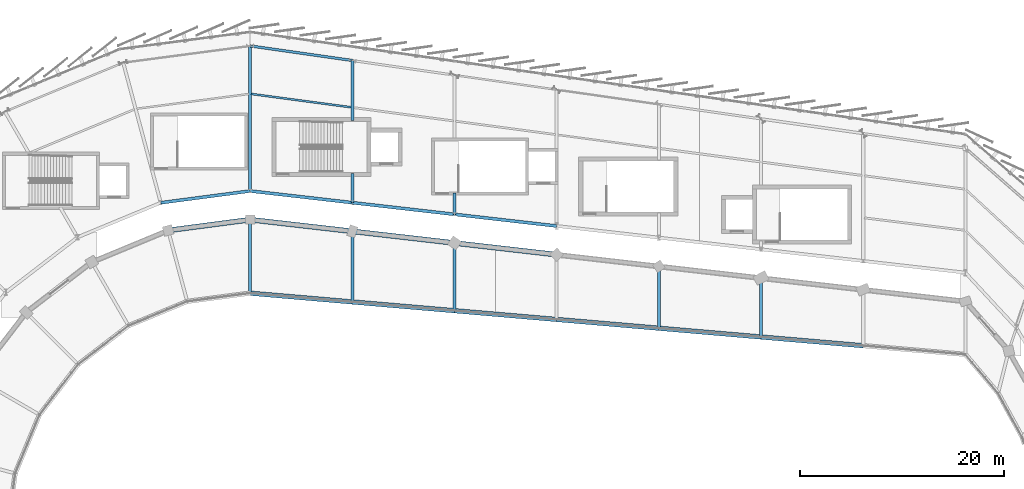
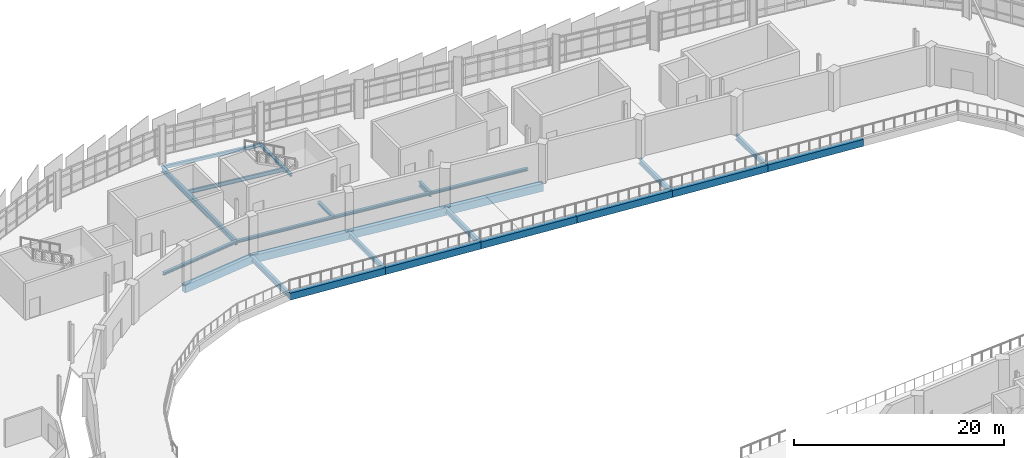
# One storey, part 33 of 87: 25 beams.
"""IFC4 building model written with IfcOpenShell, lengths in metres."""

from ifc_helpers import new_model, si_unit, direction, frame, origin, origin_2d, place, context, subcontext, project, spatial, rectangle, hollow_rectangle, i_section, extrude, material, material_profile, profile_set, type_object, element, save


model = new_model("IFC4")

# Units and contexts
model_context = context("Model", 3, precision=1e-05, world=origin(), true_north=direction((0.0, 1.0)))
body_context = subcontext(model_context, "Body", "Model", "MODEL_VIEW")
ifc_project = project(units=[si_unit("LENGTHUNIT", "METRE"), si_unit("AREAUNIT", "SQUARE_METRE"), si_unit("VOLUMEUNIT", "CUBIC_METRE"), si_unit("PLANEANGLEUNIT", "RADIAN"), si_unit("MASSUNIT", "GRAM", prefix="KILO")], contexts=[model_context])

# Site, building, storey
site_placement = place(None, origin())
site = spatial("IfcSite", under=ifc_project, at=site_placement, CompositionType="ELEMENT")
building_placement = place(site_placement, origin())
building = spatial("IfcBuilding", under=site, at=building_placement, Name="Sohan Crest Arena", CompositionType="ELEMENT")
storey_placement = place(building_placement, frame((0.0, 0.0, 18.0)))
storey = spatial("IfcBuildingStorey", under=building, at=storey_placement, Name="L04", CompositionType="ELEMENT", Elevation=18.0)

# Beams
ifc_material_1 = material(Name="Steel S355", Category="steel")
ifc_material_profile_1 = material_profile(ifc_material_1, i_section(OverallWidth=0.18994140625, OverallDepth=0.449951171875, WebThickness=0.009521484375, FlangeThickness=0.0146484375, at=origin_2d()), Name="IPE 450")
ifc_profile_set_1 = profile_set([ifc_material_profile_1], Name="Steel S355")
beam_type_1 = type_object("IfcBeamType", Name="STR-BM-B04", PredefinedType="JOIST", material=ifc_profile_set_1)
beam_1_placement = place(storey_placement, frame((107.89111328125, 119.993896484375, -0.47509765625), z_axis=(-0.991216229825, 0.132251222039, 0.0), x_axis=(-0.132251222039, -0.991216229825, 0.0)))
element("IfcBeam", 1, at=beam_1_placement, inside=storey, type_object=beam_type_1, Name="Structural beam J-L04-1706", PredefinedType="JOIST", context=body_context, shape_type="SweptSolid", body=[
    extrude(i_section(OverallWidth=0.18994140625, OverallDepth=0.449951171875, WebThickness=0.009521484375, FlangeThickness=0.0146484375, at=origin_2d()), origin(), (0.0, 0.0, 1.0), 9.868896484375),
])
ifc_material_profile_2 = material_profile(ifc_material_1, i_section(OverallWidth=0.300048828125, OverallDepth=0.590087890625, WebThickness=0.012939453125, FlangeThickness=0.02490234375, at=origin_2d()), Name="HEA 600")
ifc_profile_set_2 = profile_set([ifc_material_profile_2], Name="Steel S355")
beam_type_2 = type_object("IfcBeamType", Name="STR-BM-B11", PredefinedType="BEAM", material=ifc_profile_set_2)
beam_2_placement = place(storey_placement, frame((98.0, 101.800048828125, -0.544921875), z_axis=(0.0, 1.0, 0.0), x_axis=(-1.0, 0.0, 0.0)))
element("IfcBeam", 2, at=beam_2_placement, inside=storey, type_object=beam_type_2, Name="Structural beam G-L04-0078", PredefinedType="BEAM", context=body_context, shape_type="SweptSolid", body=[
    extrude(i_section(OverallWidth=0.300048828125, OverallDepth=0.590087890625, WebThickness=0.012939453125, FlangeThickness=0.02490234375, at=origin_2d()), origin(), (0.0, 0.0, 1.0), 7.199951171875),
])
beam_3_placement = place(storey_placement, frame((148.0, 97.513916015625, -0.544921875), z_axis=(0.0, 1.0, 0.0), x_axis=(-1.0, 0.0, 0.0)))
element("IfcBeam", 3, at=beam_3_placement, inside=storey, type_object=beam_type_2, Name="Structural beam G-L04-0722", PredefinedType="BEAM", context=body_context, shape_type="SweptSolid", body=[
    extrude(i_section(OverallWidth=0.300048828125, OverallDepth=0.590087890625, WebThickness=0.012939453125, FlangeThickness=0.02490234375, at=origin_2d()), origin(), (0.0, 0.0, 1.0), 5.77197265625),
])
beam_4_placement = place(storey_placement, frame((138.0, 98.37109375, -0.544921875), z_axis=(0.0, 1.0, 0.0), x_axis=(-1.0, 0.0, 0.0)))
element("IfcBeam", 4, at=beam_4_placement, inside=storey, type_object=beam_type_2, Name="Structural beam G-L04-0744", PredefinedType="BEAM", context=body_context, shape_type="SweptSolid", body=[
    extrude(i_section(OverallWidth=0.300048828125, OverallDepth=0.590087890625, WebThickness=0.012939453125, FlangeThickness=0.02490234375, at=origin_2d()), origin(), (0.0, 0.0, 1.0), 6.057861328125),
])
beam_5_placement = place(storey_placement, frame((118.0, 100.0859375, -0.544921875), z_axis=(0.0, 1.0, 0.0), x_axis=(-1.0, 0.0, 0.0)))
element("IfcBeam", 5, at=beam_5_placement, inside=storey, type_object=beam_type_2, Name="Structural beam G-L04-0788", PredefinedType="BEAM", context=body_context, shape_type="SweptSolid", body=[
    extrude(i_section(OverallWidth=0.300048828125, OverallDepth=0.590087890625, WebThickness=0.012939453125, FlangeThickness=0.02490234375, at=origin_2d()), origin(), (0.0, 0.0, 1.0), 6.628173828125),
])
beam_6_placement = place(storey_placement, frame((108.0, 100.943115234375, -0.544921875), z_axis=(0.0, 1.0, 0.0), x_axis=(-1.0, 0.0, 0.0)))
element("IfcBeam", 6, at=beam_6_placement, inside=storey, type_object=beam_type_2, Name="Structural beam G-L04-0810", PredefinedType="BEAM", context=body_context, shape_type="SweptSolid", body=[
    extrude(i_section(OverallWidth=0.300048828125, OverallDepth=0.590087890625, WebThickness=0.012939453125, FlangeThickness=0.02490234375, at=origin_2d()), origin(), (0.0, 0.0, 1.0), 6.913818359375),
])
beam_7_placement = place(storey_placement, frame((98.0, 111.800048828125, -0.544921875), z_axis=(0.0, 1.0, 0.0), x_axis=(-1.0, 0.0, 0.0)))
element("IfcBeam", 7, at=beam_7_placement, inside=storey, type_object=beam_type_2, Name="Structural beam G-L04-1553", PredefinedType="BEAM", context=body_context, shape_type="SweptSolid", body=[
    extrude(i_section(OverallWidth=0.300048828125, OverallDepth=0.590087890625, WebThickness=0.012939453125, FlangeThickness=0.02490234375, at=origin_2d()), origin(), (0.0, 0.0, 1.0), 14.199951171875),
])
beam_8_placement = place(storey_placement, frame((118.0, 109.513916015625, -0.544921875), z_axis=(0.0, 1.0, 0.0), x_axis=(-1.0, 0.0, 0.0)))
element("IfcBeam", 8, at=beam_8_placement, inside=storey, type_object=beam_type_2, Name="Structural beam G-L04-1697", PredefinedType="BEAM", context=body_context, shape_type="SweptSolid", body=[
    extrude(i_section(OverallWidth=0.300048828125, OverallDepth=0.590087890625, WebThickness=0.012939453125, FlangeThickness=0.02490234375, at=origin_2d()), origin(), (0.0, 0.0, 1.0), 2.106201171875),
])
ifc_material_profile_3 = material_profile(ifc_material_1, i_section(OverallWidth=0.300048828125, OverallDepth=0.300048828125, WebThickness=0.010986328125, FlangeThickness=0.01904296875, at=origin_2d()), Name="HEB 300")
ifc_profile_set_3 = profile_set([ifc_material_profile_3], Name="Steel S355")
beam_type_3 = type_object("IfcBeamType", Name="STR-BM-B12", PredefinedType="BEAM", material=ifc_profile_set_3)
beam_9_placement = place(storey_placement, frame((98.0, 111.800048828125, -0.39990234375), z_axis=(-0.991439032147, -0.130570461953, 0.0), x_axis=(0.130570461953, -0.991439032147, 0.0)))
element("IfcBeam", 9, at=beam_9_placement, inside=storey, type_object=beam_type_3, Name="Structural beam G-L04-1554", PredefinedType="BEAM", context=body_context, shape_type="SweptSolid", body=[
    extrude(i_section(OverallWidth=0.300048828125, OverallDepth=0.300048828125, WebThickness=0.010986328125, FlangeThickness=0.01904296875, at=origin_2d()), origin(), (0.0, 0.0, 1.0), 8.823486328125),
])
for number, where, z_axis, x_axis, name in (
    (10, (128.0, 108.37109375, -0.39990234375), (-0.993533063564, 0.113543170668, 0.0), (-0.113543170668, -0.993533063564, 0.0), "Structural beam G-L04-1694"),
    (11, (118.0, 109.513916015625, -0.39990234375), (-0.99353032697, 0.113567114035, 0.0), (-0.113567114035, -0.99353032697, 0.0), "Structural beam G-L04-1699"),
):
    element("IfcBeam", number, at=place(storey_placement, frame(where, z_axis=z_axis, x_axis=x_axis)), inside=storey, type_object=beam_type_3, Name=name, PredefinedType="BEAM", context=body_context, shape_type="SweptSolid", body=[
        extrude(i_section(OverallWidth=0.300048828125, OverallDepth=0.300048828125, WebThickness=0.010986328125, FlangeThickness=0.01904296875, at=origin_2d()), origin(), (0.0, 0.0, 1.0), 10.065185546875),
    ])
beam_10_placement = place(storey_placement, frame((108.0, 110.656982421875, -0.39990234375), z_axis=(0.0, 1.0, 0.0), x_axis=(-1.0, 0.0, 0.0)))
element("IfcBeam", 12, at=beam_10_placement, inside=storey, type_object=beam_type_3, Name="Structural beam G-L04-1702", PredefinedType="BEAM", context=body_context, shape_type="SweptSolid", body=[
    extrude(i_section(OverallWidth=0.300048828125, OverallDepth=0.300048828125, WebThickness=0.010986328125, FlangeThickness=0.01904296875, at=origin_2d()), origin(), (0.0, 0.0, 1.0), 2.863037109375),
])
beam_11_placement = place(storey_placement, frame((108.0, 118.679931640625, -0.39990234375), z_axis=(0.0, 1.0, 0.0), x_axis=(-1.0, 0.0, 0.0)))
element("IfcBeam", 13, at=beam_11_placement, inside=storey, type_object=beam_type_3, Name="Structural beam G-L04-1703", PredefinedType="BEAM", context=body_context, shape_type="SweptSolid", body=[
    extrude(i_section(OverallWidth=0.300048828125, OverallDepth=0.300048828125, WebThickness=0.010986328125, FlangeThickness=0.01904296875, at=origin_2d()), origin(), (0.0, 0.0, 1.0), 5.89111328125),
])
beam_12_placement = place(storey_placement, frame((108.0, 110.656982421875, -0.39990234375), z_axis=(-0.99353032697, 0.113567114035, 0.0), x_axis=(-0.113567114035, -0.99353032697, 0.0)))
element("IfcBeam", 14, at=beam_12_placement, inside=storey, type_object=beam_type_3, Name="Structural beam G-L04-1704", PredefinedType="BEAM", context=body_context, shape_type="SweptSolid", body=[
    extrude(i_section(OverallWidth=0.300048828125, OverallDepth=0.300048828125, WebThickness=0.010986328125, FlangeThickness=0.01904296875, at=origin_2d()), origin(), (0.0, 0.0, 1.0), 10.065185546875),
])
ifc_material_profile_4 = material_profile(ifc_material_1, hollow_rectangle(XDim=0.25, YDim=0.35009765625, WallThickness=0.012451171875, at=origin_2d()), Name="RHS 350x250x12.5")
ifc_profile_set_4 = profile_set([ifc_material_profile_4], Name="Steel S355")
beam_type_4 = type_object("IfcBeamType", Name="STR-BM-SP04", PredefinedType="SPANDREL", material=ifc_profile_set_4)
beam_13_placement = place(storey_placement, frame((108.0, 124.571044921875, -0.425048828125), z_axis=(-0.989944175879, 0.141458575718, 0.0), x_axis=(-0.141458575718, -0.989944175879, 0.0)))
element("IfcBeam", 15, at=beam_13_placement, inside=storey, type_object=beam_type_4, Name="Structural beam SP-L04-1705", PredefinedType="SPANDREL", context=body_context, shape_type="SweptSolid", body=[
    extrude(hollow_rectangle(XDim=0.25, YDim=0.35009765625, WallThickness=0.012451171875, at=origin_2d()), origin(), (0.0, 0.0, 1.0), 10.1015625),
])
ifc_material_2 = material(Name="Concrete C40/50", Category="concrete")
ifc_material_profile_5 = material_profile(ifc_material_2, rectangle(XDim=0.449951171875, YDim=0.800048828125, at=origin_2d()), Name="RC-BM 450x800")
ifc_profile_set_5 = profile_set([ifc_material_profile_5], Name="Concrete C40/50")
beam_type_5 = type_object("IfcBeamType", Name="STR-BM-TB02", PredefinedType="BEAM", material=ifc_profile_set_5)
for number, where, z_axis, x_axis, name in (
    (16, (158.0, 96.656982421875, -0.64990234375), (-0.996348422929, 0.085380443469, 0.0), (-0.085380443469, -0.996348422929, 0.0), "Structural beam TB-L04-0698"),
    (17, (148.0, 97.513916015625, -0.64990234375), (-0.996346353353, 0.085404590982, 0.0), (-0.085404590982, -0.996346353353, 0.0), "Structural beam TB-L04-0720"),
    (18, (138.0, 98.37109375, -0.64990234375), (-0.996340141164, 0.085477032618, 0.0), (-0.085477032618, -0.996340141164, 0.0), "Structural beam TB-L04-0742"),
    (19, (128.0, 99.22900390625, -0.64990234375), (-0.996348422929, 0.085380443469, 0.0), (-0.085380443469, -0.996348422929, 0.0), "Structural beam TB-L04-0764"),
    (20, (118.0, 100.0859375, -0.64990234375), (-0.996346353353, 0.085404590982, 0.0), (-0.085404590982, -0.996346353353, 0.0), "Structural beam TB-L04-0786"),
    (21, (108.0, 100.943115234375, -0.64990234375), (-0.996348422929, 0.085380443469, 0.0), (-0.085380443469, -0.996348422929, 0.0), "Structural beam TB-L04-0808"),
):
    element("IfcBeam", number, at=place(storey_placement, frame(where, z_axis=z_axis, x_axis=x_axis)), inside=storey, type_object=beam_type_5, Name=name, PredefinedType="BEAM", context=body_context, shape_type="SweptSolid", body=[
        extrude(rectangle(XDim=0.449951171875, YDim=0.800048828125, at=origin_2d()), origin(), (0.0, 0.0, 1.0), 10.03662109375),
    ])
ifc_material_profile_6 = material_profile(ifc_material_2, rectangle(XDim=0.5, YDim=0.89990234375, at=origin_2d()), Name="RC-BM 500x900")
ifc_profile_set_6 = profile_set([ifc_material_profile_6], Name="Concrete C40/50")
beam_type_6 = type_object("IfcBeamType", Name="STR-BM-TB03", PredefinedType="BEAM", material=ifc_profile_set_6)
beam_14_placement = place(storey_placement, frame((98.0, 109.0, -0.699951171875), z_axis=(-0.99145018748, -0.130485730048, 0.0), x_axis=(0.130485730048, -0.99145018748, 0.0)))
element("IfcBeam", 22, at=beam_14_placement, inside=storey, type_object=beam_type_6, Name="Structural beam TB-L04-0077", PredefinedType="BEAM", context=body_context, shape_type="SweptSolid", body=[
    extrude(rectangle(XDim=0.5, YDim=0.89990234375, at=origin_2d()), origin(), (0.0, 0.0, 1.0), 8.092041015625),
])
for number, where, z_axis, x_axis, name in (
    (23, (128.0, 105.571044921875, -0.699951171875), (-0.99353032697, 0.113567114035, 0.0), (-0.113567114035, -0.99353032697, 0.0), "Structural beam TB-L04-0765"),
    (24, (118.0, 106.714111328125, -0.699951171875), (-0.993533063564, 0.113543170668, 0.0), (-0.113543170668, -0.993533063564, 0.0), "Structural beam TB-L04-0787"),
    (25, (108.0, 107.85693359375, -0.699951171875), (-0.99353032697, 0.113567114035, 0.0), (-0.113567114035, -0.99353032697, 0.0), "Structural beam TB-L04-0809"),
):
    element("IfcBeam", number, at=place(storey_placement, frame(where, z_axis=z_axis, x_axis=x_axis)), inside=storey, type_object=beam_type_6, Name=name, PredefinedType="BEAM", context=body_context, shape_type="SweptSolid", body=[
        extrude(rectangle(XDim=0.5, YDim=0.89990234375, at=origin_2d()), origin(), (0.0, 0.0, 1.0), 10.065185546875),
    ])

save(model, "model.ifc")
